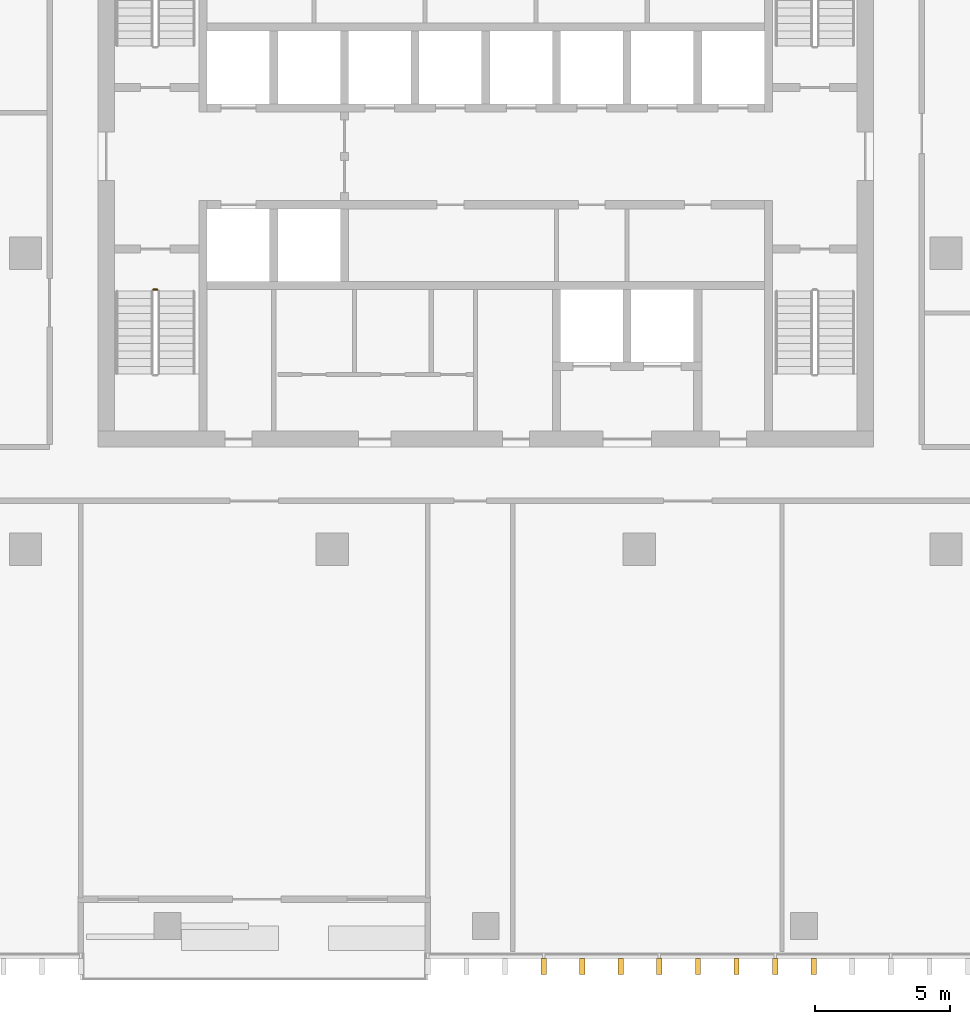
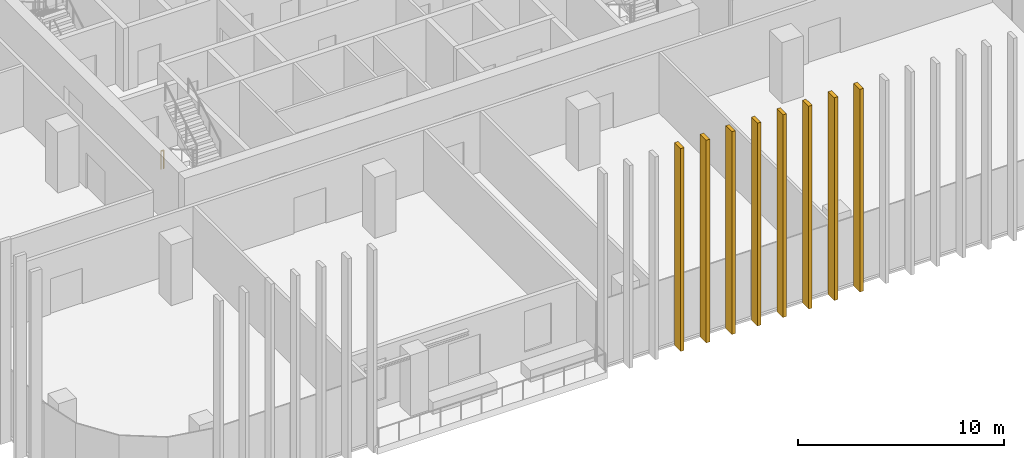
# One storey, part 12 of 16: 8 shading devices, 1 railing.
"""IFC4 building model written with IfcOpenShell, lengths in metres."""

from ifc_helpers import new_model, si_unit, direction, frame, origin, origin_2d, place, context, subcontext, project, spatial, rectangle, circle, extrude, material, type_object, element, save


model = new_model("IFC4")

# Units and contexts
model_context = context("Model", 3, precision=1e-05, world=origin(), true_north=direction((0.0, 1.0)))
body_context = subcontext(model_context, "Body", "Model", "MODEL_VIEW")
ifc_project = project(units=[si_unit("LENGTHUNIT", "METRE"), si_unit("AREAUNIT", "SQUARE_METRE"), si_unit("VOLUMEUNIT", "CUBIC_METRE"), si_unit("PLANEANGLEUNIT", "RADIAN"), si_unit("MASSUNIT", "GRAM", prefix="KILO")], contexts=[model_context])

# Site, building, storey
site_placement = place(None, origin())
site = spatial("IfcSite", under=ifc_project, at=site_placement, CompositionType="ELEMENT")
building_placement = place(site_placement, origin())
building = spatial("IfcBuilding", under=site, at=building_placement, Name="Mopane Tessera Tower", CompositionType="ELEMENT")
storey_placement = place(building_placement, frame((0.0, 0.0, 291.39990234375)))
storey = spatial("IfcBuildingStorey", under=building, at=storey_placement, Name="L63", CompositionType="ELEMENT", Elevation=291.39990234375)

# Shading devices
ifc_material_1 = material(Name="Glazed ceramic tile")
shading_device_type = type_object("IfcShadingDeviceType", Name="Ceramic tile fin 600 x 200 mm", PredefinedType="USERDEFINED", material=ifc_material_1)
for number, where, z_axis, x_axis, name in (
    (1, (2.14990234375, -26.5, -0.39990234375), (0.0, 0.0, 1.0), (1.0, 0.0, 0.0), "e:fin:L63:S:6:0"),
    (2, (3.583251953125, -26.5, -0.39990234375), (0.0, 0.0, 1.0), (1.0, 0.0, 0.0), "e:fin:L63:S:6:1"),
    (3, (5.0166015625, -26.5, -0.39990234375), (0.0, 0.0, 1.0), (1.0, 0.0, 0.0), "e:fin:L63:S:6:2"),
    (4, (6.449951171875, -26.5, -0.39990234375), (0.0, 0.0, 1.0), (1.0, 0.0, 0.0), "e:fin:L63:S:7:0"),
    (5, (7.88330078125, -26.5, -0.39990234375), (0.0, 0.0, 1.0), (1.0, 0.0, 0.0), "e:fin:L63:S:7:1"),
    (6, (9.316650390625, -26.5, -0.39990234375), (0.0, 0.0, 1.0), (1.0, 0.0, 0.0), "e:fin:L63:S:7:2"),
    (7, (10.75, -26.5, -0.39990234375), (0.0, 0.0, 1.0), (1.0, 0.0, 0.0), "e:fin:L63:S:8:0"),
    (8, (12.183349609375, -26.5, -0.39990234375), (0.0, 0.0, 1.0), (1.0, 0.0, 0.0), "e:fin:L63:S:8:1"),
):
    element("IfcShadingDevice", number, at=place(storey_placement, frame(where, z_axis=z_axis, x_axis=x_axis)), inside=storey, type_object=shading_device_type, Name=name, ObjectType="FIN", PredefinedType="USERDEFINED", context=body_context, shape_type="SweptSolid", body=[
        extrude(rectangle(XDim=0.199951171875, YDim=0.60009765625, at=origin_2d()), origin(), (0.0, 0.0, 1.0), 12.0),
    ])

# Railing
ifc_material_2 = material(Name="Powder-coated steel balustrade", Category="steel")
railing_type = type_object("IfcRailingType", Name="Escape stair guard 1100 mm", PredefinedType="GUARDRAIL", material=ifc_material_2)
railing_placement = place(storey_placement, frame((-12.35009765625, -1.35009765625, 0.0)))
element("IfcRailing", 9, at=railing_placement, inside=storey, type_object=railing_type, Name="L63 ST1 stair guard 3", PredefinedType="GUARDRAIL", context=body_context, shape_type="SweptSolid", body=[
    extrude(circle(Radius=0.02392578125, at=origin_2d()), frame((0.0, 0.0, 1.076171875), z_axis=(1.0, 0.0, 0.0), x_axis=(0.0, 1.0, 0.0)), (0.0, 0.0, 1.0), 0.150146484375),
    extrude(circle(Radius=0.02099609375, at=origin_2d()), origin(), (0.0, 0.0, 1.0), 1.052001953125),
    extrude(circle(Radius=0.02099609375, at=origin_2d()), frame((0.150146484375, 0.0, 0.0)), (0.0, 0.0, 1.0), 1.052001953125),
])

save(model, "model.ifc")
